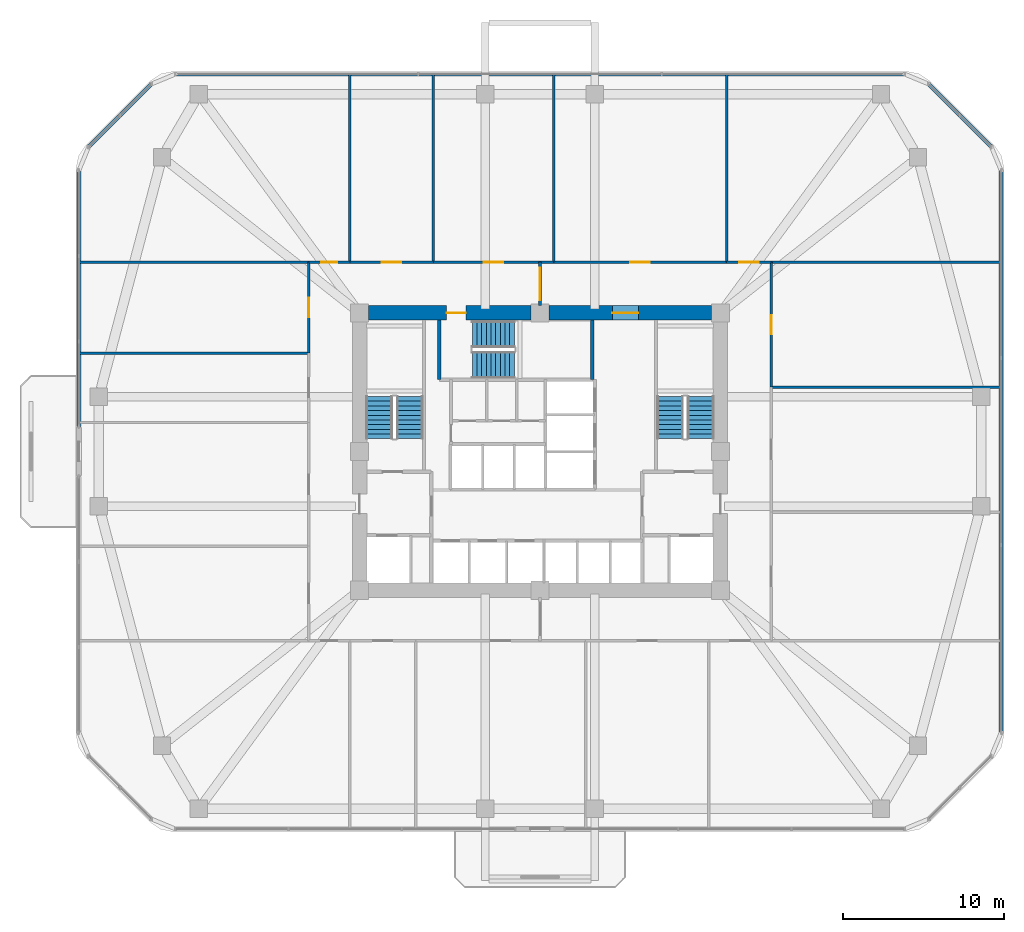
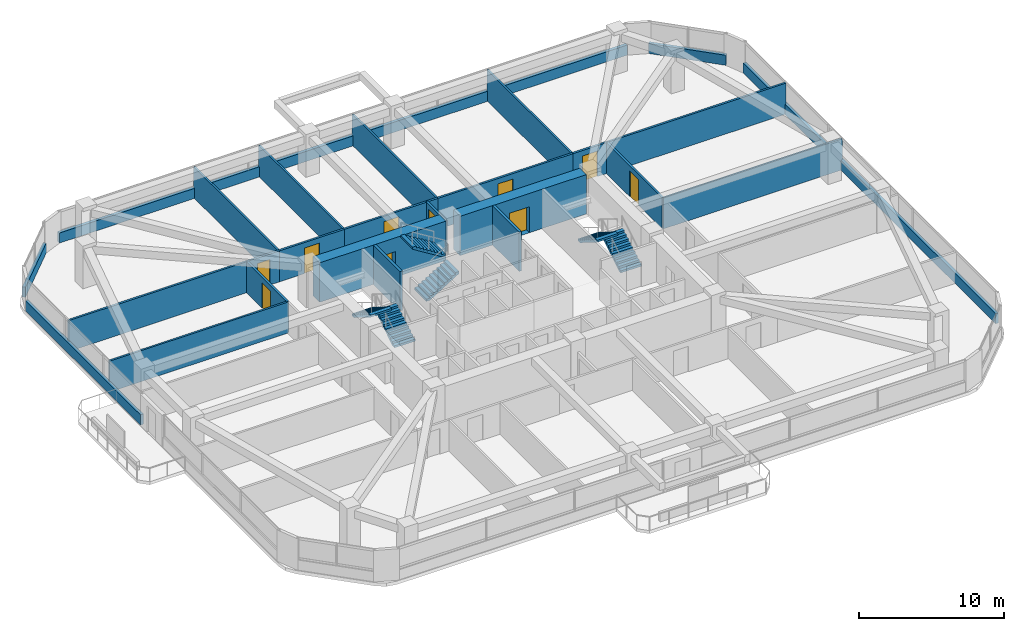
# One storey, part 11 of 13: 25 walls, 10 doors, 6 stair flights, 10 openings, 3 elements without a shape of their own.
"""IFC4 building model written with IfcOpenShell, lengths in metres."""

from ifc_helpers import new_model, si_unit, derived_unit, direction, frame, frame_2d, origin, place, context, subcontext, project, spatial, polyline, rectangle, outline, extrude, material, layer, layer_set, type_object, element, fill, aggregate, save


model = new_model("IFC4")

# Units and contexts
model_context = context("Model", 3, precision=1e-05, world=origin(), true_north=direction((0.0, 1.0)))
body_context = subcontext(model_context, "Body", "Model", "MODEL_VIEW")
ifc_project = project(units=[si_unit("LENGTHUNIT", "METRE"), si_unit("AREAUNIT", "SQUARE_METRE"), si_unit("VOLUMEUNIT", "CUBIC_METRE"), si_unit("PLANEANGLEUNIT", "RADIAN"), si_unit("MASSUNIT", "GRAM", prefix="KILO"), derived_unit("THERMALTRANSMITTANCEUNIT", [(si_unit("POWERUNIT", "WATT"), 1), (si_unit("LENGTHUNIT", "METRE"), -2), (si_unit("THERMODYNAMICTEMPERATUREUNIT", "KELVIN"), -1)])], contexts=[model_context])

# Site, building, storey
site_placement = place(None, origin())
site = spatial("IfcSite", under=ifc_project, at=site_placement, CompositionType="ELEMENT")
building_placement = place(site_placement, origin())
building = spatial("IfcBuilding", under=site, at=building_placement, Name="Koralith Skygarden Medical Center", CompositionType="ELEMENT")
storey_placement = place(building_placement, frame((0.0, 0.0, 49.139892578125)))
storey = spatial("IfcBuildingStorey", under=building, at=storey_placement, Name="L12", CompositionType="ELEMENT", Elevation=49.139892578125)

# Walls
ifc_material_1 = material(Name="Gypsum Board Partition")
ifc_layer_1 = layer(ifc_material_1, 0.14990234375)
ifc_layer_set_1 = layer_set([ifc_layer_1], Name="Gypsum Board Partition")
wall_type_1 = type_object("IfcWallType", Name="Clinical Acoustic Partition 150", PredefinedType="PARTITIONING", material=ifc_layer_set_1)
for number, where, z_axis, x_axis, name in (
    (1, (25.199951171875, 37.64990234375, 0.0), (0.0, 0.0, 1.0), (0.0, 1.0, 0.0), "L12 Clinical Acoustic Partition 150 W-PART-L12-N-01"),
    (2, (30.381103515625, 37.64990234375, 0.0), (0.0, 0.0, 1.0), (0.0, 1.0, 0.0), "L12 Clinical Acoustic Partition 150 W-PART-L12-N-02"),
    (3, (37.843994140625, 37.64990234375, 0.0), (0.0, 0.0, 1.0), (0.0, 1.0, 0.0), "L12 Clinical Acoustic Partition 150 W-PART-L12-N-03"),
    (4, (48.583984375, 37.64990234375, 0.0), (0.0, 0.0, 1.0), (0.0, 1.0, 0.0), "L12 Clinical Acoustic Partition 150 W-PART-L12-N-04"),
):
    element("IfcWall", number, at=place(storey_placement, frame(where, z_axis=z_axis, x_axis=x_axis)), inside=storey, type_object=wall_type_1, Name=name, PredefinedType="PARTITIONING", context=body_context, shape_type="SweptSolid", body=[
        extrude(rectangle(XDim=11.650146484375, YDim=0.14990234375, at=frame_2d((5.8251953125, 0.0))), origin(), (0.0, 0.0, 1.0), 2.610107421875),
    ])
for number, where, z_axis, x_axis, name in (
    (5, (22.64990234375, 32.010009765625, 0.0), (0.0, 0.0, 1.0), (-1.0, 0.0, 0.0), "L12 Clinical Acoustic Partition 150 W-PART-L12-W-03"),
    (6, (51.35009765625, 29.89501953125, 0.0), (0.0, 0.0, 1.0), (1.0, 0.0, 0.0), "L12 Clinical Acoustic Partition 150 W-PART-L12-E-02"),
):
    element("IfcWall", number, at=place(storey_placement, frame(where, z_axis=z_axis, x_axis=x_axis)), inside=storey, type_object=wall_type_1, Name=name, PredefinedType="PARTITIONING", context=body_context, shape_type="SweptSolid", body=[
        extrude(rectangle(XDim=14.25, YDim=0.14990234375, at=frame_2d((7.125, 0.0))), origin(), (0.0, 0.0, 1.0), 2.610107421875),
    ])
ifc_layer_2 = layer(ifc_material_1, 0.1650390625)
ifc_layer_set_2 = layer_set([ifc_layer_2], Name="Gypsum Board Partition")
wall_type_2 = type_object("IfcWallType", Name="Clinical Corridor Partition 165", PredefinedType="PARTITIONING", material=ifc_layer_set_2)
for number, where, z_axis, x_axis, name in (
    (7, (8.39990234375, 37.64990234375, 0.0), (0.0, 0.0, 1.0), (1.0, 0.0, 0.0), "L12 Clinical Corridor Partition 165 W-WB-L12-NW"),
    (8, (51.35009765625, 37.64990234375, 0.0), (0.0, 0.0, 1.0), (1.0, 0.0, 0.0), "L12 Clinical Corridor Partition 165 W-WB-L12-NE"),
):
    element("IfcWall", number, at=place(storey_placement, frame(where, z_axis=z_axis, x_axis=x_axis)), inside=storey, type_object=wall_type_2, Name=name, PredefinedType="PARTITIONING", context=body_context, shape_type="SweptSolid", body=[
        extrude(rectangle(XDim=14.25, YDim=0.1650390625, at=frame_2d((7.125, 0.0))), origin(), (0.0, 0.0, 1.0), 2.610107421875),
    ])

# Wall, opening, door
wall_1_placement = place(storey_placement, frame((22.64990234375, 37.64990234375, 0.0), z_axis=(0.0, 0.0, 1.0), x_axis=(1.0, 0.0, 0.0)))
wall_1 = element("IfcWall", 9, at=wall_1_placement, inside=storey, type_object=wall_type_2, Name="L12 Clinical Corridor Partition 165 W-CORR-L12-N-01", PredefinedType="PARTITIONING", context=body_context, shape_type="SweptSolid", body=[
    extrude(rectangle(XDim=2.550048828125, YDim=0.1650390625, at=frame_2d((1.27490234375, 0.0))), origin(), (0.0, 0.0, 1.0), 2.610107421875),
])
opening_1_placement = place(wall_1_placement, frame((0.77490234375, 0.0, 0.0)))
opening_1 = element("IfcOpeningElement", 10, at=opening_1_placement, cuts=wall_1, Name="Opening D-SUP", PredefinedType="OPENING", context=body_context, shape_type="SweptSolid", body=[
    extrude(rectangle(XDim=1.0, YDim=2.14990234375, at=frame_2d((0.5, 1.074951171875))), frame((0.0, 0.092529296875, 0.0), z_axis=(0.0, -1.0, 0.0), x_axis=(1.0, 0.0, 0.0)), (0.0, 0.0, 1.0), 0.18505859375),
])
ifc_material_2 = material(Name="Aluminium 6063-T6", Category="aluminium")
door_type_1 = type_object("IfcDoorType", Name="Clinical Support Door D-SUP 1000", OperationType="NOTDEFINED", PredefinedType="DOOR", material=ifc_material_2)
door_1_placement = place(opening_1_placement, origin())
door_1 = element("IfcDoor", 11, at=door_1_placement, inside=storey, type_object=door_type_1, Name="L12 Clinical Simulation Classroom 01 Door", OperationType="SINGLE_SWING_RIGHT", OverallHeight=2.14990234375, OverallWidth=1.0, PredefinedType="DOOR", context=body_context, shape_type="SweptSolid", body=[
    extrude(rectangle(XDim=1.0, YDim=2.14990234375, at=frame_2d((0.5, 1.074951171875))), frame((0.0, 0.02490234375, 0.0), z_axis=(0.0, -1.0, 0.0), x_axis=(1.0, 0.0, 0.0)), (0.0, 0.0, 1.0), 0.050048828125),
])
fill(opening_1, door_1)

wall_2_placement = place(storey_placement, frame((25.199951171875, 37.64990234375, 0.0), z_axis=(0.0, 0.0, 1.0), x_axis=(1.0, 0.0, 0.0)))
wall_2 = element("IfcWall", 12, at=wall_2_placement, inside=storey, type_object=wall_type_2, Name="L12 Clinical Corridor Partition 165 W-CORR-L12-N-02", PredefinedType="PARTITIONING", context=body_context, shape_type="SweptSolid", body=[
    extrude(rectangle(XDim=5.18115234375, YDim=0.1650390625, at=frame_2d((2.590576171875, 0.0))), origin(), (0.0, 0.0, 1.0), 2.610107421875),
])
opening_2_placement = place(wall_2_placement, frame((1.990966796875, 0.0, 0.0)))
opening_2 = element("IfcOpeningElement", 13, at=opening_2_placement, cuts=wall_2, Name="Opening D-CLN", PredefinedType="OPENING", context=body_context, shape_type="SweptSolid", body=[
    extrude(rectangle(XDim=1.199951171875, YDim=2.14990234375, at=frame_2d((0.60009765625, 1.074951171875))), frame((0.0, 0.092529296875, 0.0), z_axis=(0.0, -1.0, 0.0), x_axis=(1.0, 0.0, 0.0)), (0.0, 0.0, 1.0), 0.18505859375),
])
door_type_2 = type_object("IfcDoorType", Name="Clinical Corridor Door D-CLN 1200", OperationType="NOTDEFINED", PredefinedType="DOOR", material=ifc_material_2)
door_2_placement = place(opening_2_placement, origin())
door_2 = element("IfcDoor", 14, at=door_2_placement, inside=storey, type_object=door_type_2, Name="L12 Grand Rounds Conference Room 02 Door", OperationType="SINGLE_SWING_LEFT", OverallHeight=2.14990234375, OverallWidth=1.199951171875, PredefinedType="DOOR", context=body_context, shape_type="SweptSolid", body=[
    extrude(rectangle(XDim=1.199951171875, YDim=2.14990234375, at=frame_2d((0.60009765625, 1.074951171875))), frame((0.0, 0.02490234375, 0.0), z_axis=(0.0, -1.0, 0.0), x_axis=(1.0, 0.0, 0.0)), (0.0, 0.0, 1.0), 0.050048828125),
])
fill(opening_2, door_2)

wall_3_placement = place(storey_placement, frame((30.381103515625, 37.64990234375, 0.0), z_axis=(0.0, 0.0, 1.0), x_axis=(1.0, 0.0, 0.0)))
wall_3 = element("IfcWall", 15, at=wall_3_placement, inside=storey, type_object=wall_type_2, Name="L12 Clinical Corridor Partition 165 W-CORR-L12-N-03", PredefinedType="PARTITIONING", context=body_context, shape_type="SweptSolid", body=[
    extrude(rectangle(XDim=7.462890625, YDim=0.1650390625, at=frame_2d((3.7314453125, 0.0))), origin(), (0.0, 0.0, 1.0), 2.610107421875),
])
opening_3_placement = place(wall_3_placement, frame((3.132080078125, 0.0, 0.0)))
opening_3 = element("IfcOpeningElement", 16, at=opening_3_placement, cuts=wall_3, Name="Opening D-CLN", PredefinedType="OPENING", context=body_context, shape_type="SweptSolid", body=[
    extrude(rectangle(XDim=1.199951171875, YDim=2.14990234375, at=frame_2d((0.60009765625, 1.074951171875))), frame((0.0, 0.092529296875, 0.0), z_axis=(0.0, -1.0, 0.0), x_axis=(1.0, 0.0, 0.0)), (0.0, 0.0, 1.0), 0.18505859375),
])
door_3_placement = place(opening_3_placement, origin())
door_3 = element("IfcDoor", 17, at=door_3_placement, inside=storey, type_object=door_type_2, Name="L12 Hospitality Beverage Pantry 03 Door", OperationType="SINGLE_SWING_RIGHT", OverallHeight=2.14990234375, OverallWidth=1.199951171875, PredefinedType="DOOR", context=body_context, shape_type="SweptSolid", body=[
    extrude(rectangle(XDim=1.199951171875, YDim=2.14990234375, at=frame_2d((0.60009765625, 1.074951171875))), frame((0.0, 0.02490234375, 0.0), z_axis=(0.0, -1.0, 0.0), x_axis=(1.0, 0.0, 0.0)), (0.0, 0.0, 1.0), 0.050048828125),
])
fill(opening_3, door_3)

wall_4_placement = place(storey_placement, frame((37.843994140625, 37.64990234375, 0.0), z_axis=(0.0, 0.0, 1.0), x_axis=(1.0, 0.0, 0.0)))
wall_4 = element("IfcWall", 18, at=wall_4_placement, inside=storey, type_object=wall_type_2, Name="L12 Clinical Corridor Partition 165 W-CORR-L12-N-04", PredefinedType="PARTITIONING", context=body_context, shape_type="SweptSolid", body=[
    extrude(rectangle(XDim=10.739990234375, YDim=0.1650390625, at=frame_2d((5.3701171875, 0.0))), origin(), (0.0, 0.0, 1.0), 2.610107421875),
])
opening_4_placement = place(wall_4_placement, frame((4.77001953125, 0.0, 0.0)))
opening_4 = element("IfcOpeningElement", 19, at=opening_4_placement, cuts=wall_4, Name="Opening D-CLN", PredefinedType="OPENING", context=body_context, shape_type="SweptSolid", body=[
    extrude(rectangle(XDim=1.199951171875, YDim=2.14990234375, at=frame_2d((0.60009765625, 1.074951171875))), frame((0.0, 0.092529296875, 0.0), z_axis=(0.0, -1.0, 0.0), x_axis=(1.0, 0.0, 0.0)), (0.0, 0.0, 1.0), 0.18505859375),
])
door_4_placement = place(opening_4_placement, origin())
door_4 = element("IfcDoor", 20, at=door_4_placement, inside=storey, type_object=door_type_2, Name="L12 Academic Faculty Office 04 Door", OperationType="SINGLE_SWING_LEFT", OverallHeight=2.14990234375, OverallWidth=1.199951171875, PredefinedType="DOOR", context=body_context, shape_type="SweptSolid", body=[
    extrude(rectangle(XDim=1.199951171875, YDim=2.14990234375, at=frame_2d((0.60009765625, 1.074951171875))), frame((0.0, 0.02490234375, 0.0), z_axis=(0.0, -1.0, 0.0), x_axis=(1.0, 0.0, 0.0)), (0.0, 0.0, 1.0), 0.050048828125),
])
fill(opening_4, door_4)

wall_5_placement = place(storey_placement, frame((48.583984375, 37.64990234375, 0.0), z_axis=(0.0, 0.0, 1.0), x_axis=(1.0, 0.0, 0.0)))
wall_5 = element("IfcWall", 21, at=wall_5_placement, inside=storey, type_object=wall_type_2, Name="L12 Clinical Corridor Partition 165 W-CORR-L12-N-05", PredefinedType="PARTITIONING", context=body_context, shape_type="SweptSolid", body=[
    extrude(rectangle(XDim=2.76611328125, YDim=0.1650390625, at=frame_2d((1.383056640625, 0.0))), origin(), (0.0, 0.0, 1.0), 2.610107421875),
])
opening_5_placement = place(wall_5_placement, frame((0.782958984375, 0.0, 0.0)))
opening_5 = element("IfcOpeningElement", 22, at=opening_5_placement, cuts=wall_5, Name="Opening D-CLN", PredefinedType="OPENING", context=body_context, shape_type="SweptSolid", body=[
    extrude(rectangle(XDim=1.199951171875, YDim=2.14990234375, at=frame_2d((0.60009765625, 1.074951171875))), frame((0.0, 0.092529296875, 0.0), z_axis=(0.0, -1.0, 0.0), x_axis=(1.0, 0.0, 0.0)), (0.0, 0.0, 1.0), 0.18505859375),
])
door_5_placement = place(opening_5_placement, origin())
door_5 = element("IfcDoor", 23, at=door_5_placement, inside=storey, type_object=door_type_2, Name="L12 Clinical Simulation Classroom 05 Door", OperationType="SINGLE_SWING_RIGHT", OverallHeight=2.14990234375, OverallWidth=1.199951171875, PredefinedType="DOOR", context=body_context, shape_type="SweptSolid", body=[
    extrude(rectangle(XDim=1.199951171875, YDim=2.14990234375, at=frame_2d((0.60009765625, 1.074951171875))), frame((0.0, 0.02490234375, 0.0), z_axis=(0.0, -1.0, 0.0), x_axis=(1.0, 0.0, 0.0)), (0.0, 0.0, 1.0), 0.050048828125),
])
fill(opening_5, door_5)

wall_6_placement = place(storey_placement, frame((22.64990234375, 32.010009765625, 0.0), z_axis=(0.0, 0.0, 1.0), x_axis=(0.0, 1.0, 0.0)))
wall_6 = element("IfcWall", 24, at=wall_6_placement, inside=storey, type_object=wall_type_2, Name="L12 Clinical Corridor Partition 165 W-CORR-L12-W-04", PredefinedType="PARTITIONING", context=body_context, shape_type="SweptSolid", body=[
    extrude(rectangle(XDim=5.639892578125, YDim=0.1650390625, at=frame_2d((2.81982421875, 0.0))), origin(), (0.0, 0.0, 1.0), 2.610107421875),
])
opening_6_placement = place(wall_6_placement, frame((2.219970703125, 0.0, 0.0)))
opening_6 = element("IfcOpeningElement", 25, at=opening_6_placement, cuts=wall_6, Name="Opening D-CLN", PredefinedType="OPENING", context=body_context, shape_type="SweptSolid", body=[
    extrude(rectangle(XDim=1.199951171875, YDim=2.14990234375, at=frame_2d((0.60009765625, 1.074951171875))), frame((0.0, 0.092529296875, 0.0), z_axis=(0.0, -1.0, 0.0), x_axis=(1.0, 0.0, 0.0)), (0.0, 0.0, 1.0), 0.18505859375),
])
door_6_placement = place(opening_6_placement, frame((1.199951171875, 0.0, 0.0), z_axis=(0.0, 0.0, 1.0), x_axis=(-1.0, 0.0, 0.0)))
door_6 = element("IfcDoor", 26, at=door_6_placement, inside=storey, type_object=door_type_2, Name="L12 Academic Faculty Office 14 Door", OperationType="SINGLE_SWING_LEFT", OverallHeight=2.14990234375, OverallWidth=1.199951171875, PredefinedType="DOOR", context=body_context, shape_type="SweptSolid", body=[
    extrude(rectangle(XDim=1.199951171875, YDim=2.14990234375, at=frame_2d((0.60009765625, 1.074951171875))), frame((0.0, 0.02490234375, 0.0), z_axis=(0.0, -1.0, 0.0), x_axis=(1.0, 0.0, 0.0)), (0.0, 0.0, 1.0), 0.050048828125),
])
fill(opening_6, door_6)

wall_7_placement = place(storey_placement, frame((51.35009765625, 29.89501953125, 0.0), z_axis=(0.0, 0.0, 1.0), x_axis=(0.0, 1.0, 0.0)))
wall_7 = element("IfcWall", 27, at=wall_7_placement, inside=storey, type_object=wall_type_2, Name="L12 Clinical Corridor Partition 165 W-CORR-L12-E-03", PredefinedType="PARTITIONING", context=body_context, shape_type="SweptSolid", body=[
    extrude(rectangle(XDim=7.7548828125, YDim=0.1650390625, at=frame_2d((3.87744140625, 0.0))), origin(), (0.0, 0.0, 1.0), 2.610107421875),
])
opening_7_placement = place(wall_7_placement, frame((3.277099609375, 0.0, 0.0)))
opening_7 = element("IfcOpeningElement", 28, at=opening_7_placement, cuts=wall_7, Name="Opening D-CLN", PredefinedType="OPENING", context=body_context, shape_type="SweptSolid", body=[
    extrude(rectangle(XDim=1.199951171875, YDim=2.14990234375, at=frame_2d((0.60009765625, 1.074951171875))), frame((0.0, 0.092529296875, 0.0), z_axis=(0.0, -1.0, 0.0), x_axis=(1.0, 0.0, 0.0)), (0.0, 0.0, 1.0), 0.18505859375),
])
door_7_placement = place(opening_7_placement, origin())
door_7 = element("IfcDoor", 29, at=door_7_placement, inside=storey, type_object=door_type_2, Name="L12 Hospitality Beverage Pantry 17 Door", OperationType="SINGLE_SWING_RIGHT", OverallHeight=2.14990234375, OverallWidth=1.199951171875, PredefinedType="DOOR", context=body_context, shape_type="SweptSolid", body=[
    extrude(rectangle(XDim=1.199951171875, YDim=2.14990234375, at=frame_2d((0.60009765625, 1.074951171875))), frame((0.0, 0.02490234375, 0.0), z_axis=(0.0, -1.0, 0.0), x_axis=(1.0, 0.0, 0.0)), (0.0, 0.0, 1.0), 0.050048828125),
])
fill(opening_7, door_7)

ifc_layer_3 = layer(ifc_material_1, 0.179931640625)
ifc_layer_set_3 = layer_set([ifc_layer_3], Name="Gypsum Board Partition")
wall_type_3 = type_object("IfcWallType", Name="Group I-2 Smoke Barrier Wall 180", PredefinedType="PARTITIONING", material=ifc_layer_set_3)
wall_8_placement = place(storey_placement, frame((37.0, 34.949951171875, 0.0), z_axis=(0.0, 0.0, 1.0), x_axis=(0.0, 1.0, 0.0)))
wall_8 = element("IfcWall", 30, at=wall_8_placement, inside=storey, type_object=wall_type_3, Name="L12 Group I-2 Smoke Barrier Wall 180 W-SMK-L12-N", PredefinedType="PARTITIONING", context=body_context, shape_type="SweptSolid", body=[
    extrude(rectangle(XDim=2.699951171875, YDim=0.179931640625, at=frame_2d((1.35009765625, 0.0))), origin(), (0.0, 0.0, 1.0), 2.610107421875),
])
opening_8_placement = place(wall_8_placement, frame((0.35009765625, 0.0, 0.0)))
opening_8 = element("IfcOpeningElement", 31, at=opening_8_placement, cuts=wall_8, Name="Opening D-SMK", PredefinedType="OPENING", context=body_context, shape_type="SweptSolid", body=[
    extrude(rectangle(XDim=2.0, YDim=2.199951171875, at=frame_2d((1.0, 1.10009765625))), frame((0.0, 0.099853515625, 0.0), z_axis=(0.0, -1.0, 0.0), x_axis=(1.0, 0.0, 0.0)), (0.0, 0.0, 1.0), 0.199951171875),
])
ifc_material_3 = material(Name="Steel ASTM A500 Grade C", Category="steel")
door_type_3 = type_object("IfcDoorType", Name="Cross-Corridor Double Smoke Door FD60S 2000", OperationType="NOTDEFINED", PredefinedType="DOOR", material=ifc_material_3)
door_8_placement = place(opening_8_placement, origin())
door_8 = element("IfcDoor", 32, at=door_8_placement, inside=storey, type_object=door_type_3, Name="L12 N Smoke Compartment Cross-Corridor Door", OperationType="DOUBLE_DOOR_SINGLE_SWING", OverallHeight=2.199951171875, OverallWidth=2.0, PredefinedType="DOOR", context=body_context, shape_type="SweptSolid", body=[
    extrude(rectangle(XDim=2.0, YDim=2.199951171875, at=frame_2d((1.0, 1.10009765625))), frame((0.0, 0.02490234375, 0.0), z_axis=(0.0, -1.0, 0.0), x_axis=(1.0, 0.0, 0.0)), (0.0, 0.0, 1.0), 0.050048828125),
])
fill(opening_8, door_8)

# Walls
ifc_material_4 = material(Name="Warm Oolitic Limestone Cladding", Category="masonry")
ifc_layer_4 = layer(ifc_material_4, 0.239990234375)
ifc_layer_set_4 = layer_set([ifc_layer_4], Name="Warm Oolitic Limestone Cladding")
wall_type_4 = type_object("IfcWallType", Name="Limestone Spandrel Sill Backup Wall 240", PredefinedType="SOLIDWALL", material=ifc_layer_set_4)
wall_9_placement = place(storey_placement, frame((65.6201171875, 8.455078125, 0.0), z_axis=(0.0, 0.0, 1.0), x_axis=(0.0, 1.0, 0.0)))
element("IfcWall", 33, at=wall_9_placement, inside=storey, type_object=wall_type_4, Name="L12 Sill Spandrel E", PredefinedType="SOLIDWALL", context=body_context, shape_type="SweptSolid", body=[
    extrude(rectangle(XDim=34.889892578125, YDim=0.239990234375, at=frame_2d((17.44482421875, 0.0))), origin(), (0.0, 0.0, 1.0), 0.85009765625),
])
wall_10_placement = place(storey_placement, frame((65.01904296875, 44.7958984375, 0.0), z_axis=(0.0, 0.0, 1.0), x_axis=(-0.707106781187, 0.707106781187, 0.0)))
element("IfcWall", 34, at=wall_10_placement, inside=storey, type_object=wall_type_4, Name="L12 Sill Spandrel NE", PredefinedType="SOLIDWALL", context=body_context, shape_type="SweptSolid", body=[
    extrude(rectangle(XDim=5.548095703125, YDim=0.239990234375, at=frame_2d((2.77392578125, 0.0))), origin(), (0.0, 0.0, 1.0), 0.85009765625),
])
wall_11_placement = place(storey_placement, frame((59.64501953125, 49.320068359375, 0.0), z_axis=(0.0, 0.0, 1.0), x_axis=(-1.0, 0.0, 0.0)))
element("IfcWall", 35, at=wall_11_placement, inside=storey, type_object=wall_type_4, Name="L12 Sill Spandrel N", PredefinedType="SOLIDWALL", context=body_context, shape_type="SweptSolid", body=[
    extrude(rectangle(XDim=45.2900390625, YDim=0.239990234375, at=frame_2d((22.64501953125, 0.0))), origin(), (0.0, 0.0, 1.0), 0.85009765625),
])
wall_12_placement = place(storey_placement, frame((12.904052734375, 48.718994140625, 0.0), z_axis=(0.0, 0.0, 1.0), x_axis=(-0.707106781187, -0.707106781187, 0.0)))
element("IfcWall", 36, at=wall_12_placement, inside=storey, type_object=wall_type_4, Name="L12 Sill Spandrel NW", PredefinedType="SOLIDWALL", context=body_context, shape_type="SweptSolid", body=[
    extrude(rectangle(XDim=5.548095703125, YDim=0.239990234375, at=frame_2d((2.77392578125, 0.0))), origin(), (0.0, 0.0, 1.0), 0.85009765625),
])
wall_13_placement = place(storey_placement, frame((8.3798828125, 43.344970703125, 0.0), z_axis=(0.0, 0.0, 1.0), x_axis=(0.0, -1.0, 0.0)))
element("IfcWall", 37, at=wall_13_placement, inside=storey, type_object=wall_type_4, Name="L12 Sill Spandrel W-L", PredefinedType="SOLIDWALL", context=body_context, shape_type="SweptSolid", body=[
    extrude(rectangle(XDim=15.905029296875, YDim=0.239990234375, at=frame_2d((7.95263671875, 0.0))), origin(), (0.0, 0.0, 1.0), 0.85009765625),
])

# Wall, opening, door
ifc_material_5 = material(Name="Concrete C70/85", Category="concrete")
ifc_layer_5 = layer(ifc_material_5, 0.89990234375)
ifc_layer_set_5 = layer_set([ifc_layer_5], Name="Concrete C70/85")
wall_type_5 = type_object("IfcWallType", Name="Lower Core Shear Wall 900", PredefinedType="SHEAR", material=ifc_layer_set_5)
wall_14_placement = place(storey_placement, frame((47.635009765625, 34.5, 0.0), z_axis=(0.0, 0.0, 1.0), x_axis=(-1.0, 0.0, 0.0)))
wall_14 = element("IfcWall", 38, at=wall_14_placement, inside=storey, type_object=wall_type_5, Name="L12 Core Shear Wall Segment 5", PredefinedType="SHEAR", context=body_context, shape_type="SweptSolid", body=[
    extrude(rectangle(XDim=10.070068359375, YDim=0.89990234375, at=frame_2d((5.03515625, 0.0))), origin(), (0.0, 0.0, 1.0), 3.320068359375),
])
opening_9_placement = place(wall_14_placement, frame((4.534912109375, 0.0, 0.0)))
opening_9 = element("IfcOpeningElement", 39, at=opening_9_placement, cuts=wall_14, Name="Opening D-DBL", PredefinedType="OPENING", context=body_context, shape_type="SweptSolid", body=[
    extrude(rectangle(XDim=1.60009765625, YDim=2.199951171875, at=frame_2d((0.800048828125, 1.10009765625))), frame((0.0, 0.4599609375, 0.0), z_axis=(0.0, -1.0, 0.0), x_axis=(1.0, 0.0, 0.0)), (0.0, 0.0, 1.0), 0.919921875),
])
door_type_4 = type_object("IfcDoorType", Name="Double Clinical Suite Door D-DBL 1600", OperationType="NOTDEFINED", PredefinedType="DOOR", material=ifc_material_2)
door_9_placement = place(opening_9_placement, frame((1.60009765625, 0.0, 0.0), z_axis=(0.0, 0.0, 1.0), x_axis=(-1.0, 0.0, 0.0)))
door_9 = element("IfcDoor", 40, at=door_9_placement, inside=storey, type_object=door_type_4, Name="L12 North-East Corridor to Elevator Lobby Door", OperationType="DOUBLE_DOOR_SINGLE_SWING", OverallHeight=2.199951171875, OverallWidth=1.60009765625, PredefinedType="DOOR", context=body_context, shape_type="SweptSolid", body=[
    extrude(rectangle(XDim=1.60009765625, YDim=2.199951171875, at=frame_2d((0.800048828125, 1.10009765625))), frame((0.0, 0.02490234375, 0.0), z_axis=(0.0, -1.0, 0.0), x_axis=(1.0, 0.0, 0.0)), (0.0, 0.0, 1.0), 0.050048828125),
])
fill(opening_9, door_9)

wall_15_placement = place(storey_placement, frame((36.43505859375, 34.5, 0.0), z_axis=(0.0, 0.0, 1.0), x_axis=(-1.0, 0.0, 0.0)))
wall_15 = element("IfcWall", 41, at=wall_15_placement, inside=storey, type_object=wall_type_5, Name="L12 Core Shear Wall Segment 6", PredefinedType="SHEAR", context=body_context, shape_type="SweptSolid", body=[
    extrude(rectangle(XDim=10.070068359375, YDim=0.89990234375, at=frame_2d((5.03515625, 0.0))), origin(), (0.0, 0.0, 1.0), 3.320068359375),
])
opening_10_placement = place(wall_15_placement, frame((4.034912109375, 0.0, 0.0)))
opening_10 = element("IfcOpeningElement", 42, at=opening_10_placement, cuts=wall_15, Name="Opening D-ST60", PredefinedType="OPENING", context=body_context, shape_type="SweptSolid", body=[
    extrude(rectangle(XDim=1.199951171875, YDim=2.14990234375, at=frame_2d((0.60009765625, 1.074951171875))), frame((0.0, 0.4599609375, 0.0), z_axis=(0.0, -1.0, 0.0), x_axis=(1.0, 0.0, 0.0)), (0.0, 0.0, 1.0), 0.919921875),
])
door_type_5 = type_object("IfcDoorType", Name="Smokeproof Stair Fire Door FD60S 1200", OperationType="NOTDEFINED", PredefinedType="DOOR", material=ifc_material_3)
door_10_placement = place(opening_10_placement, frame((1.199951171875, 0.0, 0.0), z_axis=(0.0, 0.0, 1.0), x_axis=(-1.0, 0.0, 0.0)))
door_10 = element("IfcDoor", 43, at=door_10_placement, inside=storey, type_object=door_type_5, Name="L12 Exit Stair ST3 Fire Door", OperationType="SINGLE_SWING_LEFT", OverallHeight=2.14990234375, OverallWidth=1.199951171875, PredefinedType="DOOR", context=body_context, shape_type="SweptSolid", body=[
    extrude(rectangle(XDim=1.199951171875, YDim=2.14990234375, at=frame_2d((0.60009765625, 1.074951171875))), frame((0.0, 0.02490234375, 0.0), z_axis=(0.0, -1.0, 0.0), x_axis=(1.0, 0.0, 0.0)), (0.0, 0.0, 1.0), 0.050048828125),
])
fill(opening_10, door_10)

# Walls
ifc_material_6 = material(Name="Concrete C45/55", Category="concrete")
ifc_layer_6 = layer(ifc_material_6, 0.199951171875)
ifc_layer_set_6 = layer_set([ifc_layer_6], Name="Concrete C45/55")
wall_type_6 = type_object("IfcWallType", Name="Structural Stair Shaft Wall 200", PredefinedType="SHEAR", material=ifc_layer_set_6)
for number, where, z_axis, x_axis, name in (
    (44, (30.75, 30.360107421875, 0.0), (0.0, 0.0, 1.0), (0.0, 1.0, 0.0), "L12 Structural Stair Shaft Wall 200 W-CORE-L12-ST3-W"),
    (45, (40.25, 30.360107421875, 0.0), (0.0, 0.0, 1.0), (0.0, 1.0, 0.0), "L12 Structural Stair Shaft Wall 200 W-CORE-L12-ST3-E"),
):
    element("IfcWall", number, at=place(storey_placement, frame(where, z_axis=z_axis, x_axis=x_axis)), inside=storey, type_object=wall_type_6, Name=name, PredefinedType="SHEAR", context=body_context, shape_type="SweptSolid", body=[
        extrude(rectangle(XDim=3.68994140625, YDim=0.199951171875, at=frame_2d((1.844970703125, 0.0))), origin(), (0.0, 0.0, 1.0), 3.320068359375),
    ])

# Stair, stair flights
stair_type = type_object("IfcStairType", Name="Core Exit Dogleg Concrete Stair", PredefinedType="HALF_TURN_STAIR", material=ifc_material_6)
stair_1_placement = place(storey_placement, origin())
stair_1 = element("IfcStair", 46, at=stair_1_placement, inside=storey, type_object=stair_type, Name="L12 Smokeproof Exit Stair ST1", PredefinedType="HALF_TURN_STAIR")
stair_flight_type = type_object("IfcStairFlightType", Name="Core Exit Concrete Stair Flight 1650", PredefinedType="STRAIGHT", material=ifc_material_6)
stair_flight_1_placement = place(storey_placement, frame((28.925048828125, 26.699951171875, 0.0), z_axis=(0.0, 0.0, 1.0), x_axis=(0.0, 1.0, 0.0)))
stair_flight_1 = element("IfcStairFlight", 47, at=stair_flight_1_placement, type_object=stair_flight_type, Name="ST1 flight 1", NumberOfRisers=10, NumberOfTreads=9, PredefinedType="STRAIGHT", RiserHeight=0.18, TreadLength=0.29, context=body_context, shape_type="SweptSolid", body=[
    extrude(outline(polyline([(0.0, 0.0), (0.0, 0.179931640625), (0.2900390625, 0.179931640625), (0.2900390625, 0.360107421875), (0.580078125, 0.360107421875), (0.580078125, 0.5400390625), (0.8701171875, 0.5400390625), (0.8701171875, 0.719970703125), (1.159912109375, 0.719970703125), (1.159912109375, 0.89990234375), (1.449951171875, 0.89990234375), (1.449951171875, 1.080078125), (1.739990234375, 1.080078125), (1.739990234375, 1.260009765625), (2.030029296875, 1.260009765625), (2.030029296875, 1.43994140625), (2.320068359375, 1.43994140625), (2.320068359375, 1.6201171875), (2.610107421875, 1.6201171875), (2.610107421875, 1.800048828125), (2.610107421875, 1.443603515625), (0.2841796875, 0.0), (0.0, 0.0)])), frame((0.0, 0.824951171875, 0.0), z_axis=(0.0, -1.0, 0.0), x_axis=(1.0, 0.0, 0.0)), (0.0, 0.0, 1.0), 1.64990234375),
])
stair_flight_2_placement = place(storey_placement, frame((27.02490234375, 29.31005859375, 1.800048828125), z_axis=(0.0, 0.0, 1.0), x_axis=(0.0, -1.0, 0.0)))
stair_flight_2 = element("IfcStairFlight", 48, at=stair_flight_2_placement, type_object=stair_flight_type, Name="ST1 flight 2", NumberOfRisers=10, NumberOfTreads=9, PredefinedType="STRAIGHT", RiserHeight=0.18, TreadLength=0.29, context=body_context, shape_type="SweptSolid", body=[
    extrude(outline(polyline([(0.0, 0.0), (0.0, 0.179931640625), (0.2900390625, 0.179931640625), (0.2900390625, 0.360107421875), (0.580078125, 0.360107421875), (0.580078125, 0.5400390625), (0.8701171875, 0.5400390625), (0.8701171875, 0.719970703125), (1.159912109375, 0.719970703125), (1.159912109375, 0.89990234375), (1.449951171875, 0.89990234375), (1.449951171875, 1.080078125), (1.739990234375, 1.080078125), (1.739990234375, 1.260009765625), (2.030029296875, 1.260009765625), (2.030029296875, 1.43994140625), (2.320068359375, 1.43994140625), (2.320068359375, 1.6201171875), (2.610107421875, 1.6201171875), (2.610107421875, 1.800048828125), (2.610107421875, 1.443603515625), (0.2841796875, 0.0), (0.0, 0.0)])), frame((0.0, 0.824951171875, 0.0), z_axis=(0.0, -1.0, 0.0), x_axis=(1.0, 0.0, 0.0)), (0.0, 0.0, 1.0), 1.64990234375),
])
aggregate(stair_1, [stair_flight_1, stair_flight_2])

stair_2_placement = place(storey_placement, origin())
stair_2 = element("IfcStair", 49, at=stair_2_placement, inside=storey, type_object=stair_type, Name="L12 Smokeproof Exit Stair ST2", PredefinedType="HALF_TURN_STAIR")
stair_flight_3_placement = place(storey_placement, frame((46.97509765625, 26.699951171875, 0.0), z_axis=(0.0, 0.0, 1.0), x_axis=(0.0, 1.0, 0.0)))
stair_flight_3 = element("IfcStairFlight", 50, at=stair_flight_3_placement, type_object=stair_flight_type, Name="ST2 flight 1", NumberOfRisers=10, NumberOfTreads=9, PredefinedType="STRAIGHT", RiserHeight=0.18, TreadLength=0.29, context=body_context, shape_type="SweptSolid", body=[
    extrude(outline(polyline([(0.0, 0.0), (0.0, 0.179931640625), (0.2900390625, 0.179931640625), (0.2900390625, 0.360107421875), (0.580078125, 0.360107421875), (0.580078125, 0.5400390625), (0.8701171875, 0.5400390625), (0.8701171875, 0.719970703125), (1.159912109375, 0.719970703125), (1.159912109375, 0.89990234375), (1.449951171875, 0.89990234375), (1.449951171875, 1.080078125), (1.739990234375, 1.080078125), (1.739990234375, 1.260009765625), (2.030029296875, 1.260009765625), (2.030029296875, 1.43994140625), (2.320068359375, 1.43994140625), (2.320068359375, 1.6201171875), (2.610107421875, 1.6201171875), (2.610107421875, 1.800048828125), (2.610107421875, 1.443603515625), (0.2841796875, 0.0), (0.0, 0.0)])), frame((0.0, 0.824951171875, 0.0), z_axis=(0.0, -1.0, 0.0), x_axis=(1.0, 0.0, 0.0)), (0.0, 0.0, 1.0), 1.64990234375),
])
stair_flight_4_placement = place(storey_placement, frame((45.074951171875, 29.31005859375, 1.800048828125), z_axis=(0.0, 0.0, 1.0), x_axis=(0.0, -1.0, 0.0)))
stair_flight_4 = element("IfcStairFlight", 51, at=stair_flight_4_placement, type_object=stair_flight_type, Name="ST2 flight 2", NumberOfRisers=10, NumberOfTreads=9, PredefinedType="STRAIGHT", RiserHeight=0.18, TreadLength=0.29, context=body_context, shape_type="SweptSolid", body=[
    extrude(outline(polyline([(0.0, 0.0), (0.0, 0.179931640625), (0.2900390625, 0.179931640625), (0.2900390625, 0.360107421875), (0.580078125, 0.360107421875), (0.580078125, 0.5400390625), (0.8701171875, 0.5400390625), (0.8701171875, 0.719970703125), (1.159912109375, 0.719970703125), (1.159912109375, 0.89990234375), (1.449951171875, 0.89990234375), (1.449951171875, 1.080078125), (1.739990234375, 1.080078125), (1.739990234375, 1.260009765625), (2.030029296875, 1.260009765625), (2.030029296875, 1.43994140625), (2.320068359375, 1.43994140625), (2.320068359375, 1.6201171875), (2.610107421875, 1.6201171875), (2.610107421875, 1.800048828125), (2.610107421875, 1.443603515625), (0.2841796875, 0.0), (0.0, 0.0)])), frame((0.0, 0.824951171875, 0.0), z_axis=(0.0, -1.0, 0.0), x_axis=(1.0, 0.0, 0.0)), (0.0, 0.0, 1.0), 1.64990234375),
])
aggregate(stair_2, [stair_flight_3, stair_flight_4])

stair_3_placement = place(storey_placement, origin())
stair_3 = element("IfcStair", 52, at=stair_3_placement, inside=storey, type_object=stair_type, Name="L12 Smokeproof Exit Stair ST3", PredefinedType="HALF_TURN_STAIR")
stair_flight_5_placement = place(storey_placement, frame((32.800048828125, 31.27490234375, 0.0), z_axis=(0.0, 0.0, 1.0), x_axis=(1.0, 0.0, 0.0)))
stair_flight_5 = element("IfcStairFlight", 53, at=stair_flight_5_placement, type_object=stair_flight_type, Name="ST3 flight 1", NumberOfRisers=10, NumberOfTreads=9, PredefinedType="STRAIGHT", RiserHeight=0.18, TreadLength=0.29, context=body_context, shape_type="SweptSolid", body=[
    extrude(outline(polyline([(0.0, 0.0), (0.0, 0.179931640625), (0.2900390625, 0.179931640625), (0.2900390625, 0.360107421875), (0.580078125, 0.360107421875), (0.580078125, 0.5400390625), (0.8701171875, 0.5400390625), (0.8701171875, 0.719970703125), (1.159912109375, 0.719970703125), (1.159912109375, 0.89990234375), (1.449951171875, 0.89990234375), (1.449951171875, 1.080078125), (1.739990234375, 1.080078125), (1.739990234375, 1.260009765625), (2.030029296875, 1.260009765625), (2.030029296875, 1.43994140625), (2.320068359375, 1.43994140625), (2.320068359375, 1.6201171875), (2.610107421875, 1.6201171875), (2.610107421875, 1.800048828125), (2.610107421875, 1.443603515625), (0.2841796875, 0.0), (0.0, 0.0)])), frame((0.0, 0.824951171875, 0.0), z_axis=(0.0, -1.0, 0.0), x_axis=(1.0, 0.0, 0.0)), (0.0, 0.0, 1.0), 1.64990234375),
])
stair_flight_6_placement = place(storey_placement, frame((35.409912109375, 33.175048828125, 1.800048828125), z_axis=(0.0, 0.0, 1.0), x_axis=(-1.0, 0.0, 0.0)))
stair_flight_6 = element("IfcStairFlight", 54, at=stair_flight_6_placement, type_object=stair_flight_type, Name="ST3 flight 2", NumberOfRisers=10, NumberOfTreads=9, PredefinedType="STRAIGHT", RiserHeight=0.18, TreadLength=0.29, context=body_context, shape_type="SweptSolid", body=[
    extrude(outline(polyline([(0.0, 0.0), (0.0, 0.179931640625), (0.2900390625, 0.179931640625), (0.2900390625, 0.360107421875), (0.580078125, 0.360107421875), (0.580078125, 0.5400390625), (0.8701171875, 0.5400390625), (0.8701171875, 0.719970703125), (1.159912109375, 0.719970703125), (1.159912109375, 0.89990234375), (1.449951171875, 0.89990234375), (1.449951171875, 1.080078125), (1.739990234375, 1.080078125), (1.739990234375, 1.260009765625), (2.030029296875, 1.260009765625), (2.030029296875, 1.43994140625), (2.320068359375, 1.43994140625), (2.320068359375, 1.6201171875), (2.610107421875, 1.6201171875), (2.610107421875, 1.800048828125), (2.610107421875, 1.443603515625), (0.2841796875, 0.0), (0.0, 0.0)])), frame((0.0, 0.824951171875, 0.0), z_axis=(0.0, -1.0, 0.0), x_axis=(1.0, 0.0, 0.0)), (0.0, 0.0, 1.0), 1.64990234375),
])
aggregate(stair_3, [stair_flight_5, stair_flight_6])

save(model, "model.ifc")
